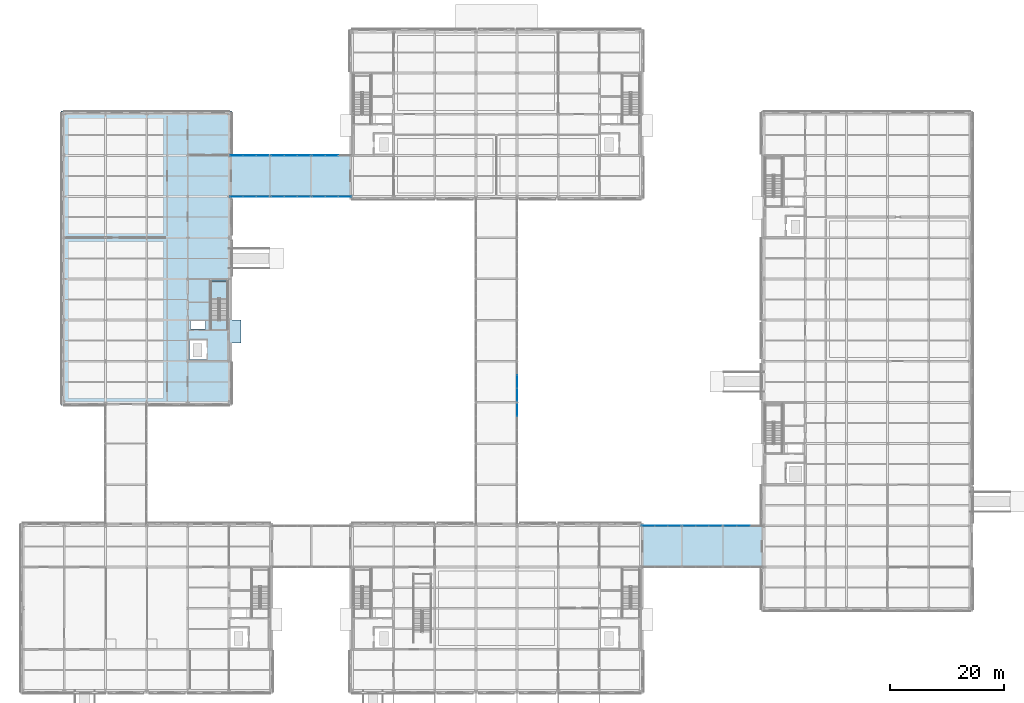
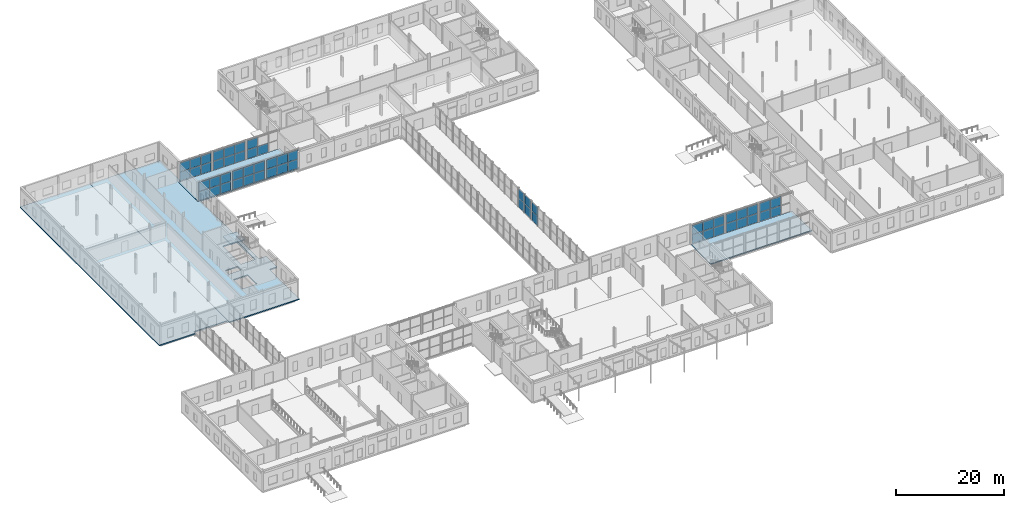
# One storey, part 45 of 92: 55 plates, 5 slabs, 12 elements without a shape of their own.
"""IFC4 building model written with IfcOpenShell, lengths in metres."""

from ifc_helpers import new_model, si_unit, direction, frame, origin, origin_2d, place, context, subcontext, project, spatial, polyline, rectangle, outline, extrude, material, layer, layer_set, type_object, element, aggregate, save


model = new_model("IFC4")

# Units and contexts
model_context = context("Model", 3, precision=1e-05, world=origin(), true_north=direction((0.0, 1.0)))
body_context = subcontext(model_context, "Body", "Model", "MODEL_VIEW")
ifc_project = project(units=[si_unit("LENGTHUNIT", "METRE"), si_unit("AREAUNIT", "SQUARE_METRE"), si_unit("VOLUMEUNIT", "CUBIC_METRE"), si_unit("PLANEANGLEUNIT", "RADIAN"), si_unit("MASSUNIT", "GRAM", prefix="KILO")], contexts=[model_context])

# Site, building, storey
site_placement = place(None, origin())
site = spatial("IfcSite", under=ifc_project, at=site_placement, CompositionType="ELEMENT")
building_placement = place(site_placement, origin())
building = spatial("IfcBuilding", under=site, at=building_placement, Name="Zlatovets Crest Museum", CompositionType="ELEMENT")
storey_placement = place(building_placement, origin())
storey = spatial("IfcBuildingStorey", under=building, at=storey_placement, Name="L00", CompositionType="ELEMENT", Elevation=0.0)

# Curtain wall, plates
ifc_material_1 = material(Name="Bronze-anodised aluminium and low-E triple glass", Category="aluminium")
curtain_wall_type_1 = type_object("IfcCurtainWallType", Name="CW_CW-BR3-L00-S69", PredefinedType="NOTDEFINED", material=ifc_material_1)
curtain_wall_1_placement = place(storey_placement, origin())
curtain_wall_1 = element("IfcCurtainWall", 1, at=curtain_wall_1_placement, inside=storey, type_object=curtain_wall_type_1, Name="Northwest Crest Glazed Link Bridge L00 Glazed Bridge Curtain Wall", PredefinedType="NOTDEFINED")
ifc_material_2 = material(Name="Solar-control low-E laminated triple glass", Category="glass")
ifc_layer_1 = layer(ifc_material_2, 0.030029296875)
ifc_layer_set_1 = layer_set([ifc_layer_1], Name="Solar-control low-E laminated triple glass")
plate_type_1 = type_object("IfcPlateType", Name="CWPanel_CW-BR3-L00-S69", PredefinedType="CURTAIN_PANEL", material=ifc_layer_set_1)
plate_1_placement = place(storey_placement, frame((37.31494140625, 86.39990234375, 0.06005859375), z_axis=(0.0, 0.0, 1.0), x_axis=(1.0, 0.0, 0.0)))
plate_1 = element("IfcPlate", 2, at=plate_1_placement, type_object=plate_type_1, Name="CW-BR3-L00-S69 panel 1.1", PredefinedType="CURTAIN_PANEL", context=body_context, shape_type="SweptSolid", body=[
    extrude(rectangle(XDim=2.2099609375, YDim=0.030029296875, at=origin_2d()), origin(), (0.0, 0.0, 1.0), 2.050048828125),
])
plate_2_placement = place(storey_placement, frame((37.31494140625, 86.39990234375, 2.169921875), z_axis=(0.0, 0.0, 1.0), x_axis=(1.0, 0.0, 0.0)))
plate_2 = element("IfcPlate", 3, at=plate_2_placement, type_object=plate_type_1, Name="CW-BR3-L00-S69 panel 1.2", PredefinedType="CURTAIN_PANEL", context=body_context, shape_type="SweptSolid", body=[
    extrude(rectangle(XDim=2.2099609375, YDim=0.030029296875, at=origin_2d()), origin(), (0.0, 0.0, 1.0), 2.050048828125),
])
plate_3_placement = place(storey_placement, frame((39.60009765625, 86.39990234375, 0.06005859375), z_axis=(0.0, 0.0, 1.0), x_axis=(1.0, 0.0, 0.0)))
plate_3 = element("IfcPlate", 4, at=plate_3_placement, type_object=plate_type_1, Name="CW-BR3-L00-S69 panel 2.1", PredefinedType="CURTAIN_PANEL", context=body_context, shape_type="SweptSolid", body=[
    extrude(rectangle(XDim=2.239990234375, YDim=0.030029296875, at=origin_2d()), origin(), (0.0, 0.0, 1.0), 2.050048828125),
])
plate_4_placement = place(storey_placement, frame((39.60009765625, 86.39990234375, 2.169921875), z_axis=(0.0, 0.0, 1.0), x_axis=(1.0, 0.0, 0.0)))
plate_4 = element("IfcPlate", 5, at=plate_4_placement, type_object=plate_type_1, Name="CW-BR3-L00-S69 panel 2.2", PredefinedType="CURTAIN_PANEL", context=body_context, shape_type="SweptSolid", body=[
    extrude(rectangle(XDim=2.239990234375, YDim=0.030029296875, at=origin_2d()), origin(), (0.0, 0.0, 1.0), 2.050048828125),
])
plate_5_placement = place(storey_placement, frame((41.885009765625, 86.39990234375, 0.06005859375), z_axis=(0.0, 0.0, 1.0), x_axis=(1.0, 0.0, 0.0)))
plate_5 = element("IfcPlate", 6, at=plate_5_placement, type_object=plate_type_1, Name="CW-BR3-L00-S69 panel 3.1", PredefinedType="CURTAIN_PANEL", context=body_context, shape_type="SweptSolid", body=[
    extrude(rectangle(XDim=2.2099609375, YDim=0.030029296875, at=origin_2d()), origin(), (0.0, 0.0, 1.0), 2.050048828125),
])
plate_6_placement = place(storey_placement, frame((41.885009765625, 86.39990234375, 2.169921875), z_axis=(0.0, 0.0, 1.0), x_axis=(1.0, 0.0, 0.0)))
plate_6 = element("IfcPlate", 7, at=plate_6_placement, type_object=plate_type_1, Name="CW-BR3-L00-S69 panel 3.2", PredefinedType="CURTAIN_PANEL", context=body_context, shape_type="SweptSolid", body=[
    extrude(rectangle(XDim=2.2099609375, YDim=0.030029296875, at=origin_2d()), origin(), (0.0, 0.0, 1.0), 2.050048828125),
])
aggregate(curtain_wall_1, [plate_1, plate_2, plate_3, plate_4, plate_5, plate_6])

curtain_wall_2_placement = place(storey_placement, origin())
curtain_wall_2 = element("IfcCurtainWall", 8, at=curtain_wall_2_placement, inside=storey, type_object=curtain_wall_type_1, Name="Northwest Crest Glazed Link Bridge L00 Glazed Bridge Curtain Wall", PredefinedType="NOTDEFINED")
plate_7_placement = place(storey_placement, frame((44.514892578125, 86.39990234375, 0.06005859375), z_axis=(0.0, 0.0, 1.0), x_axis=(1.0, 0.0, 0.0)))
plate_7 = element("IfcPlate", 9, at=plate_7_placement, type_object=plate_type_1, Name="CW-BR3-L00-S69 panel 1.1", PredefinedType="CURTAIN_PANEL", context=body_context, shape_type="SweptSolid", body=[
    extrude(rectangle(XDim=2.2099609375, YDim=0.030029296875, at=origin_2d()), origin(), (0.0, 0.0, 1.0), 2.050048828125),
])
plate_8_placement = place(storey_placement, frame((44.514892578125, 86.39990234375, 2.169921875), z_axis=(0.0, 0.0, 1.0), x_axis=(1.0, 0.0, 0.0)))
plate_8 = element("IfcPlate", 10, at=plate_8_placement, type_object=plate_type_1, Name="CW-BR3-L00-S69 panel 1.2", PredefinedType="CURTAIN_PANEL", context=body_context, shape_type="SweptSolid", body=[
    extrude(rectangle(XDim=2.2099609375, YDim=0.030029296875, at=origin_2d()), origin(), (0.0, 0.0, 1.0), 2.050048828125),
])
plate_9_placement = place(storey_placement, frame((46.800048828125, 86.39990234375, 0.06005859375), z_axis=(0.0, 0.0, 1.0), x_axis=(1.0, 0.0, 0.0)))
plate_9 = element("IfcPlate", 11, at=plate_9_placement, type_object=plate_type_1, Name="CW-BR3-L00-S69 panel 2.1", PredefinedType="CURTAIN_PANEL", context=body_context, shape_type="SweptSolid", body=[
    extrude(rectangle(XDim=2.239990234375, YDim=0.030029296875, at=origin_2d()), origin(), (0.0, 0.0, 1.0), 2.050048828125),
])
plate_10_placement = place(storey_placement, frame((46.800048828125, 86.39990234375, 2.169921875), z_axis=(0.0, 0.0, 1.0), x_axis=(1.0, 0.0, 0.0)))
plate_10 = element("IfcPlate", 12, at=plate_10_placement, type_object=plate_type_1, Name="CW-BR3-L00-S69 panel 2.2", PredefinedType="CURTAIN_PANEL", context=body_context, shape_type="SweptSolid", body=[
    extrude(rectangle(XDim=2.239990234375, YDim=0.030029296875, at=origin_2d()), origin(), (0.0, 0.0, 1.0), 2.050048828125),
])
plate_11_placement = place(storey_placement, frame((49.0849609375, 86.39990234375, 0.06005859375), z_axis=(0.0, 0.0, 1.0), x_axis=(1.0, 0.0, 0.0)))
plate_11 = element("IfcPlate", 13, at=plate_11_placement, type_object=plate_type_1, Name="CW-BR3-L00-S69 panel 3.1", PredefinedType="CURTAIN_PANEL", context=body_context, shape_type="SweptSolid", body=[
    extrude(rectangle(XDim=2.2099609375, YDim=0.030029296875, at=origin_2d()), origin(), (0.0, 0.0, 1.0), 2.050048828125),
])
plate_12_placement = place(storey_placement, frame((49.0849609375, 86.39990234375, 2.169921875), z_axis=(0.0, 0.0, 1.0), x_axis=(1.0, 0.0, 0.0)))
plate_12 = element("IfcPlate", 14, at=plate_12_placement, type_object=plate_type_1, Name="CW-BR3-L00-S69 panel 3.2", PredefinedType="CURTAIN_PANEL", context=body_context, shape_type="SweptSolid", body=[
    extrude(rectangle(XDim=2.2099609375, YDim=0.030029296875, at=origin_2d()), origin(), (0.0, 0.0, 1.0), 2.050048828125),
])
aggregate(curtain_wall_2, [plate_7, plate_8, plate_9, plate_10, plate_11, plate_12])

curtain_wall_3_placement = place(storey_placement, origin())
curtain_wall_3 = element("IfcCurtainWall", 15, at=curtain_wall_3_placement, inside=storey, type_object=curtain_wall_type_1, Name="Northwest Crest Glazed Link Bridge L00 Glazed Bridge Curtain Wall", PredefinedType="NOTDEFINED")
plate_13_placement = place(storey_placement, frame((51.715087890625, 86.39990234375, 0.06005859375), z_axis=(0.0, 0.0, 1.0), x_axis=(1.0, 0.0, 0.0)))
plate_13 = element("IfcPlate", 16, at=plate_13_placement, type_object=plate_type_1, Name="CW-BR3-L00-S69 panel 1.1", PredefinedType="CURTAIN_PANEL", context=body_context, shape_type="SweptSolid", body=[
    extrude(rectangle(XDim=2.2099609375, YDim=0.030029296875, at=origin_2d()), origin(), (0.0, 0.0, 1.0), 2.050048828125),
])
plate_14_placement = place(storey_placement, frame((51.715087890625, 86.39990234375, 2.169921875), z_axis=(0.0, 0.0, 1.0), x_axis=(1.0, 0.0, 0.0)))
plate_14 = element("IfcPlate", 17, at=plate_14_placement, type_object=plate_type_1, Name="CW-BR3-L00-S69 panel 1.2", PredefinedType="CURTAIN_PANEL", context=body_context, shape_type="SweptSolid", body=[
    extrude(rectangle(XDim=2.2099609375, YDim=0.030029296875, at=origin_2d()), origin(), (0.0, 0.0, 1.0), 2.050048828125),
])
plate_15_placement = place(storey_placement, frame((54.0, 86.39990234375, 0.06005859375), z_axis=(0.0, 0.0, 1.0), x_axis=(1.0, 0.0, 0.0)))
plate_15 = element("IfcPlate", 18, at=plate_15_placement, type_object=plate_type_1, Name="CW-BR3-L00-S69 panel 2.1", PredefinedType="CURTAIN_PANEL", context=body_context, shape_type="SweptSolid", body=[
    extrude(rectangle(XDim=2.239990234375, YDim=0.030029296875, at=origin_2d()), origin(), (0.0, 0.0, 1.0), 2.050048828125),
])
plate_16_placement = place(storey_placement, frame((54.0, 86.39990234375, 2.169921875), z_axis=(0.0, 0.0, 1.0), x_axis=(1.0, 0.0, 0.0)))
plate_16 = element("IfcPlate", 19, at=plate_16_placement, type_object=plate_type_1, Name="CW-BR3-L00-S69 panel 2.2", PredefinedType="CURTAIN_PANEL", context=body_context, shape_type="SweptSolid", body=[
    extrude(rectangle(XDim=2.239990234375, YDim=0.030029296875, at=origin_2d()), origin(), (0.0, 0.0, 1.0), 2.050048828125),
])
plate_17_placement = place(storey_placement, frame((56.284912109375, 86.39990234375, 0.06005859375), z_axis=(0.0, 0.0, 1.0), x_axis=(1.0, 0.0, 0.0)))
plate_17 = element("IfcPlate", 20, at=plate_17_placement, type_object=plate_type_1, Name="CW-BR3-L00-S69 panel 3.1", PredefinedType="CURTAIN_PANEL", context=body_context, shape_type="SweptSolid", body=[
    extrude(rectangle(XDim=2.2099609375, YDim=0.030029296875, at=origin_2d()), origin(), (0.0, 0.0, 1.0), 2.050048828125),
])
plate_18_placement = place(storey_placement, frame((56.284912109375, 86.39990234375, 2.169921875), z_axis=(0.0, 0.0, 1.0), x_axis=(1.0, 0.0, 0.0)))
plate_18 = element("IfcPlate", 21, at=plate_18_placement, type_object=plate_type_1, Name="CW-BR3-L00-S69 panel 3.2", PredefinedType="CURTAIN_PANEL", context=body_context, shape_type="SweptSolid", body=[
    extrude(rectangle(XDim=2.2099609375, YDim=0.030029296875, at=origin_2d()), origin(), (0.0, 0.0, 1.0), 2.050048828125),
])
aggregate(curtain_wall_3, [plate_13, plate_14, plate_15, plate_16, plate_17, plate_18])

curtain_wall_4_placement = place(storey_placement, origin())
curtain_wall_4 = element("IfcCurtainWall", 22, at=curtain_wall_4_placement, inside=storey, type_object=curtain_wall_type_1, Name="Northwest Crest Glazed Link Bridge L00 Glazed Bridge Curtain Wall", PredefinedType="NOTDEFINED")
plate_19_placement = place(storey_placement, frame((37.31494140625, 93.60009765625, 0.06005859375), z_axis=(0.0, 0.0, 1.0), x_axis=(1.0, 0.0, 0.0)))
plate_19 = element("IfcPlate", 23, at=plate_19_placement, type_object=plate_type_1, Name="CW-BR3-L00-S69 panel 1.1", PredefinedType="CURTAIN_PANEL", context=body_context, shape_type="SweptSolid", body=[
    extrude(rectangle(XDim=2.2099609375, YDim=0.030029296875, at=origin_2d()), origin(), (0.0, 0.0, 1.0), 2.050048828125),
])
plate_20_placement = place(storey_placement, frame((37.31494140625, 93.60009765625, 2.169921875), z_axis=(0.0, 0.0, 1.0), x_axis=(1.0, 0.0, 0.0)))
plate_20 = element("IfcPlate", 24, at=plate_20_placement, type_object=plate_type_1, Name="CW-BR3-L00-S69 panel 1.2", PredefinedType="CURTAIN_PANEL", context=body_context, shape_type="SweptSolid", body=[
    extrude(rectangle(XDim=2.2099609375, YDim=0.030029296875, at=origin_2d()), origin(), (0.0, 0.0, 1.0), 2.050048828125),
])
plate_21_placement = place(storey_placement, frame((39.60009765625, 93.60009765625, 0.06005859375), z_axis=(0.0, 0.0, 1.0), x_axis=(1.0, 0.0, 0.0)))
plate_21 = element("IfcPlate", 25, at=plate_21_placement, type_object=plate_type_1, Name="CW-BR3-L00-S69 panel 2.1", PredefinedType="CURTAIN_PANEL", context=body_context, shape_type="SweptSolid", body=[
    extrude(rectangle(XDim=2.239990234375, YDim=0.030029296875, at=origin_2d()), origin(), (0.0, 0.0, 1.0), 2.050048828125),
])
plate_22_placement = place(storey_placement, frame((39.60009765625, 93.60009765625, 2.169921875), z_axis=(0.0, 0.0, 1.0), x_axis=(1.0, 0.0, 0.0)))
plate_22 = element("IfcPlate", 26, at=plate_22_placement, type_object=plate_type_1, Name="CW-BR3-L00-S69 panel 2.2", PredefinedType="CURTAIN_PANEL", context=body_context, shape_type="SweptSolid", body=[
    extrude(rectangle(XDim=2.239990234375, YDim=0.030029296875, at=origin_2d()), origin(), (0.0, 0.0, 1.0), 2.050048828125),
])
plate_23_placement = place(storey_placement, frame((41.885009765625, 93.60009765625, 0.06005859375), z_axis=(0.0, 0.0, 1.0), x_axis=(1.0, 0.0, 0.0)))
plate_23 = element("IfcPlate", 27, at=plate_23_placement, type_object=plate_type_1, Name="CW-BR3-L00-S69 panel 3.1", PredefinedType="CURTAIN_PANEL", context=body_context, shape_type="SweptSolid", body=[
    extrude(rectangle(XDim=2.2099609375, YDim=0.030029296875, at=origin_2d()), origin(), (0.0, 0.0, 1.0), 2.050048828125),
])
plate_24_placement = place(storey_placement, frame((41.885009765625, 93.60009765625, 2.169921875), z_axis=(0.0, 0.0, 1.0), x_axis=(1.0, 0.0, 0.0)))
plate_24 = element("IfcPlate", 28, at=plate_24_placement, type_object=plate_type_1, Name="CW-BR3-L00-S69 panel 3.2", PredefinedType="CURTAIN_PANEL", context=body_context, shape_type="SweptSolid", body=[
    extrude(rectangle(XDim=2.2099609375, YDim=0.030029296875, at=origin_2d()), origin(), (0.0, 0.0, 1.0), 2.050048828125),
])
aggregate(curtain_wall_4, [plate_19, plate_20, plate_21, plate_22, plate_23, plate_24])

curtain_wall_5_placement = place(storey_placement, origin())
curtain_wall_5 = element("IfcCurtainWall", 29, at=curtain_wall_5_placement, inside=storey, type_object=curtain_wall_type_1, Name="Northwest Crest Glazed Link Bridge L00 Glazed Bridge Curtain Wall", PredefinedType="NOTDEFINED")
plate_25_placement = place(storey_placement, frame((44.514892578125, 93.60009765625, 0.06005859375), z_axis=(0.0, 0.0, 1.0), x_axis=(1.0, 0.0, 0.0)))
plate_25 = element("IfcPlate", 30, at=plate_25_placement, type_object=plate_type_1, Name="CW-BR3-L00-S69 panel 1.1", PredefinedType="CURTAIN_PANEL", context=body_context, shape_type="SweptSolid", body=[
    extrude(rectangle(XDim=2.2099609375, YDim=0.030029296875, at=origin_2d()), origin(), (0.0, 0.0, 1.0), 2.050048828125),
])
plate_26_placement = place(storey_placement, frame((44.514892578125, 93.60009765625, 2.169921875), z_axis=(0.0, 0.0, 1.0), x_axis=(1.0, 0.0, 0.0)))
plate_26 = element("IfcPlate", 31, at=plate_26_placement, type_object=plate_type_1, Name="CW-BR3-L00-S69 panel 1.2", PredefinedType="CURTAIN_PANEL", context=body_context, shape_type="SweptSolid", body=[
    extrude(rectangle(XDim=2.2099609375, YDim=0.030029296875, at=origin_2d()), origin(), (0.0, 0.0, 1.0), 2.050048828125),
])
plate_27_placement = place(storey_placement, frame((46.800048828125, 93.60009765625, 0.06005859375), z_axis=(0.0, 0.0, 1.0), x_axis=(1.0, 0.0, 0.0)))
plate_27 = element("IfcPlate", 32, at=plate_27_placement, type_object=plate_type_1, Name="CW-BR3-L00-S69 panel 2.1", PredefinedType="CURTAIN_PANEL", context=body_context, shape_type="SweptSolid", body=[
    extrude(rectangle(XDim=2.239990234375, YDim=0.030029296875, at=origin_2d()), origin(), (0.0, 0.0, 1.0), 2.050048828125),
])
plate_28_placement = place(storey_placement, frame((46.800048828125, 93.60009765625, 2.169921875), z_axis=(0.0, 0.0, 1.0), x_axis=(1.0, 0.0, 0.0)))
plate_28 = element("IfcPlate", 33, at=plate_28_placement, type_object=plate_type_1, Name="CW-BR3-L00-S69 panel 2.2", PredefinedType="CURTAIN_PANEL", context=body_context, shape_type="SweptSolid", body=[
    extrude(rectangle(XDim=2.239990234375, YDim=0.030029296875, at=origin_2d()), origin(), (0.0, 0.0, 1.0), 2.050048828125),
])
plate_29_placement = place(storey_placement, frame((49.0849609375, 93.60009765625, 0.06005859375), z_axis=(0.0, 0.0, 1.0), x_axis=(1.0, 0.0, 0.0)))
plate_29 = element("IfcPlate", 34, at=plate_29_placement, type_object=plate_type_1, Name="CW-BR3-L00-S69 panel 3.1", PredefinedType="CURTAIN_PANEL", context=body_context, shape_type="SweptSolid", body=[
    extrude(rectangle(XDim=2.2099609375, YDim=0.030029296875, at=origin_2d()), origin(), (0.0, 0.0, 1.0), 2.050048828125),
])
plate_30_placement = place(storey_placement, frame((49.0849609375, 93.60009765625, 2.169921875), z_axis=(0.0, 0.0, 1.0), x_axis=(1.0, 0.0, 0.0)))
plate_30 = element("IfcPlate", 35, at=plate_30_placement, type_object=plate_type_1, Name="CW-BR3-L00-S69 panel 3.2", PredefinedType="CURTAIN_PANEL", context=body_context, shape_type="SweptSolid", body=[
    extrude(rectangle(XDim=2.2099609375, YDim=0.030029296875, at=origin_2d()), origin(), (0.0, 0.0, 1.0), 2.050048828125),
])
aggregate(curtain_wall_5, [plate_25, plate_26, plate_27, plate_28, plate_29, plate_30])

curtain_wall_6_placement = place(storey_placement, origin())
curtain_wall_6 = element("IfcCurtainWall", 36, at=curtain_wall_6_placement, inside=storey, type_object=curtain_wall_type_1, Name="Northwest Crest Glazed Link Bridge L00 Glazed Bridge Curtain Wall", PredefinedType="NOTDEFINED")
plate_31_placement = place(storey_placement, frame((51.715087890625, 93.60009765625, 0.06005859375), z_axis=(0.0, 0.0, 1.0), x_axis=(1.0, 0.0, 0.0)))
plate_31 = element("IfcPlate", 37, at=plate_31_placement, type_object=plate_type_1, Name="CW-BR3-L00-S69 panel 1.1", PredefinedType="CURTAIN_PANEL", context=body_context, shape_type="SweptSolid", body=[
    extrude(rectangle(XDim=2.2099609375, YDim=0.030029296875, at=origin_2d()), origin(), (0.0, 0.0, 1.0), 2.050048828125),
])
plate_32_placement = place(storey_placement, frame((51.715087890625, 93.60009765625, 2.169921875), z_axis=(0.0, 0.0, 1.0), x_axis=(1.0, 0.0, 0.0)))
plate_32 = element("IfcPlate", 38, at=plate_32_placement, type_object=plate_type_1, Name="CW-BR3-L00-S69 panel 1.2", PredefinedType="CURTAIN_PANEL", context=body_context, shape_type="SweptSolid", body=[
    extrude(rectangle(XDim=2.2099609375, YDim=0.030029296875, at=origin_2d()), origin(), (0.0, 0.0, 1.0), 2.050048828125),
])
plate_33_placement = place(storey_placement, frame((54.0, 93.60009765625, 0.06005859375), z_axis=(0.0, 0.0, 1.0), x_axis=(1.0, 0.0, 0.0)))
plate_33 = element("IfcPlate", 39, at=plate_33_placement, type_object=plate_type_1, Name="CW-BR3-L00-S69 panel 2.1", PredefinedType="CURTAIN_PANEL", context=body_context, shape_type="SweptSolid", body=[
    extrude(rectangle(XDim=2.239990234375, YDim=0.030029296875, at=origin_2d()), origin(), (0.0, 0.0, 1.0), 2.050048828125),
])
aggregate(curtain_wall_6, [plate_31, plate_32, plate_33])

curtain_wall_type_2 = type_object("IfcCurtainWallType", Name="CW_CW-BR4-L00-S69", PredefinedType="NOTDEFINED", material=ifc_material_1)
curtain_wall_7_placement = place(storey_placement, origin())
curtain_wall_7 = element("IfcCurtainWall", 40, at=curtain_wall_7_placement, inside=storey, type_object=curtain_wall_type_2, Name="Southeast Archive Glazed Link Bridge L00 Glazed Bridge Curtain Wall", PredefinedType="NOTDEFINED")
ifc_layer_2 = layer(ifc_material_2, 0.030029296875)
ifc_layer_set_2 = layer_set([ifc_layer_2], Name="Solar-control low-E laminated triple glass")
plate_type_2 = type_object("IfcPlateType", Name="CWPanel_CW-BR4-L00-S69", PredefinedType="CURTAIN_PANEL", material=ifc_layer_set_2)
plate_34_placement = place(storey_placement, frame((109.31494140625, 28.800048828125, 0.06005859375), z_axis=(0.0, 0.0, 1.0), x_axis=(1.0, 0.0, 0.0)))
plate_34 = element("IfcPlate", 41, at=plate_34_placement, type_object=plate_type_2, Name="CW-BR4-L00-S69 panel 1.1", PredefinedType="CURTAIN_PANEL", context=body_context, shape_type="SweptSolid", body=[
    extrude(rectangle(XDim=2.2099609375, YDim=0.030029296875, at=origin_2d()), origin(), (0.0, 0.0, 1.0), 2.050048828125),
])
plate_35_placement = place(storey_placement, frame((109.31494140625, 28.800048828125, 2.169921875), z_axis=(0.0, 0.0, 1.0), x_axis=(1.0, 0.0, 0.0)))
plate_35 = element("IfcPlate", 42, at=plate_35_placement, type_object=plate_type_2, Name="CW-BR4-L00-S69 panel 1.2", PredefinedType="CURTAIN_PANEL", context=body_context, shape_type="SweptSolid", body=[
    extrude(rectangle(XDim=2.2099609375, YDim=0.030029296875, at=origin_2d()), origin(), (0.0, 0.0, 1.0), 2.050048828125),
])
plate_36_placement = place(storey_placement, frame((111.60009765625, 28.800048828125, 0.06005859375), z_axis=(0.0, 0.0, 1.0), x_axis=(1.0, 0.0, 0.0)))
plate_36 = element("IfcPlate", 43, at=plate_36_placement, type_object=plate_type_2, Name="CW-BR4-L00-S69 panel 2.1", PredefinedType="CURTAIN_PANEL", context=body_context, shape_type="SweptSolid", body=[
    extrude(rectangle(XDim=2.239990234375, YDim=0.030029296875, at=origin_2d()), origin(), (0.0, 0.0, 1.0), 2.050048828125),
])
plate_37_placement = place(storey_placement, frame((111.60009765625, 28.800048828125, 2.169921875), z_axis=(0.0, 0.0, 1.0), x_axis=(1.0, 0.0, 0.0)))
plate_37 = element("IfcPlate", 44, at=plate_37_placement, type_object=plate_type_2, Name="CW-BR4-L00-S69 panel 2.2", PredefinedType="CURTAIN_PANEL", context=body_context, shape_type="SweptSolid", body=[
    extrude(rectangle(XDim=2.239990234375, YDim=0.030029296875, at=origin_2d()), origin(), (0.0, 0.0, 1.0), 2.050048828125),
])
plate_38_placement = place(storey_placement, frame((113.885009765625, 28.800048828125, 0.06005859375), z_axis=(0.0, 0.0, 1.0), x_axis=(1.0, 0.0, 0.0)))
plate_38 = element("IfcPlate", 45, at=plate_38_placement, type_object=plate_type_2, Name="CW-BR4-L00-S69 panel 3.1", PredefinedType="CURTAIN_PANEL", context=body_context, shape_type="SweptSolid", body=[
    extrude(rectangle(XDim=2.2099609375, YDim=0.030029296875, at=origin_2d()), origin(), (0.0, 0.0, 1.0), 2.050048828125),
])
plate_39_placement = place(storey_placement, frame((113.885009765625, 28.800048828125, 2.169921875), z_axis=(0.0, 0.0, 1.0), x_axis=(1.0, 0.0, 0.0)))
plate_39 = element("IfcPlate", 46, at=plate_39_placement, type_object=plate_type_2, Name="CW-BR4-L00-S69 panel 3.2", PredefinedType="CURTAIN_PANEL", context=body_context, shape_type="SweptSolid", body=[
    extrude(rectangle(XDim=2.2099609375, YDim=0.030029296875, at=origin_2d()), origin(), (0.0, 0.0, 1.0), 2.050048828125),
])
aggregate(curtain_wall_7, [plate_34, plate_35, plate_36, plate_37, plate_38, plate_39])

curtain_wall_8_placement = place(storey_placement, origin())
curtain_wall_8 = element("IfcCurtainWall", 47, at=curtain_wall_8_placement, inside=storey, type_object=curtain_wall_type_2, Name="Southeast Archive Glazed Link Bridge L00 Glazed Bridge Curtain Wall", PredefinedType="NOTDEFINED")
plate_40_placement = place(storey_placement, frame((116.514892578125, 28.800048828125, 0.06005859375), z_axis=(0.0, 0.0, 1.0), x_axis=(1.0, 0.0, 0.0)))
plate_40 = element("IfcPlate", 48, at=plate_40_placement, type_object=plate_type_2, Name="CW-BR4-L00-S69 panel 1.1", PredefinedType="CURTAIN_PANEL", context=body_context, shape_type="SweptSolid", body=[
    extrude(rectangle(XDim=2.2099609375, YDim=0.030029296875, at=origin_2d()), origin(), (0.0, 0.0, 1.0), 2.050048828125),
])
plate_41_placement = place(storey_placement, frame((116.514892578125, 28.800048828125, 2.169921875), z_axis=(0.0, 0.0, 1.0), x_axis=(1.0, 0.0, 0.0)))
plate_41 = element("IfcPlate", 49, at=plate_41_placement, type_object=plate_type_2, Name="CW-BR4-L00-S69 panel 1.2", PredefinedType="CURTAIN_PANEL", context=body_context, shape_type="SweptSolid", body=[
    extrude(rectangle(XDim=2.2099609375, YDim=0.030029296875, at=origin_2d()), origin(), (0.0, 0.0, 1.0), 2.050048828125),
])
plate_42_placement = place(storey_placement, frame((118.800048828125, 28.800048828125, 0.06005859375), z_axis=(0.0, 0.0, 1.0), x_axis=(1.0, 0.0, 0.0)))
plate_42 = element("IfcPlate", 50, at=plate_42_placement, type_object=plate_type_2, Name="CW-BR4-L00-S69 panel 2.1", PredefinedType="CURTAIN_PANEL", context=body_context, shape_type="SweptSolid", body=[
    extrude(rectangle(XDim=2.239990234375, YDim=0.030029296875, at=origin_2d()), origin(), (0.0, 0.0, 1.0), 2.050048828125),
])
plate_43_placement = place(storey_placement, frame((118.800048828125, 28.800048828125, 2.169921875), z_axis=(0.0, 0.0, 1.0), x_axis=(1.0, 0.0, 0.0)))
plate_43 = element("IfcPlate", 51, at=plate_43_placement, type_object=plate_type_2, Name="CW-BR4-L00-S69 panel 2.2", PredefinedType="CURTAIN_PANEL", context=body_context, shape_type="SweptSolid", body=[
    extrude(rectangle(XDim=2.239990234375, YDim=0.030029296875, at=origin_2d()), origin(), (0.0, 0.0, 1.0), 2.050048828125),
])
plate_44_placement = place(storey_placement, frame((121.0849609375, 28.800048828125, 0.06005859375), z_axis=(0.0, 0.0, 1.0), x_axis=(1.0, 0.0, 0.0)))
plate_44 = element("IfcPlate", 52, at=plate_44_placement, type_object=plate_type_2, Name="CW-BR4-L00-S69 panel 3.1", PredefinedType="CURTAIN_PANEL", context=body_context, shape_type="SweptSolid", body=[
    extrude(rectangle(XDim=2.2099609375, YDim=0.030029296875, at=origin_2d()), origin(), (0.0, 0.0, 1.0), 2.050048828125),
])
plate_45_placement = place(storey_placement, frame((121.0849609375, 28.800048828125, 2.169921875), z_axis=(0.0, 0.0, 1.0), x_axis=(1.0, 0.0, 0.0)))
plate_45 = element("IfcPlate", 53, at=plate_45_placement, type_object=plate_type_2, Name="CW-BR4-L00-S69 panel 3.2", PredefinedType="CURTAIN_PANEL", context=body_context, shape_type="SweptSolid", body=[
    extrude(rectangle(XDim=2.2099609375, YDim=0.030029296875, at=origin_2d()), origin(), (0.0, 0.0, 1.0), 2.050048828125),
])
aggregate(curtain_wall_8, [plate_40, plate_41, plate_42, plate_43, plate_44, plate_45])

curtain_wall_9_placement = place(storey_placement, origin())
curtain_wall_9 = element("IfcCurtainWall", 54, at=curtain_wall_9_placement, inside=storey, type_object=curtain_wall_type_2, Name="Southeast Archive Glazed Link Bridge L00 Glazed Bridge Curtain Wall", PredefinedType="NOTDEFINED")
plate_46_placement = place(storey_placement, frame((123.715087890625, 28.800048828125, 0.06005859375), z_axis=(0.0, 0.0, 1.0), x_axis=(1.0, 0.0, 0.0)))
plate_46 = element("IfcPlate", 55, at=plate_46_placement, type_object=plate_type_2, Name="CW-BR4-L00-S69 panel 1.1", PredefinedType="CURTAIN_PANEL", context=body_context, shape_type="SweptSolid", body=[
    extrude(rectangle(XDim=2.2099609375, YDim=0.030029296875, at=origin_2d()), origin(), (0.0, 0.0, 1.0), 2.050048828125),
])
plate_47_placement = place(storey_placement, frame((123.715087890625, 28.800048828125, 2.169921875), z_axis=(0.0, 0.0, 1.0), x_axis=(1.0, 0.0, 0.0)))
plate_47 = element("IfcPlate", 56, at=plate_47_placement, type_object=plate_type_2, Name="CW-BR4-L00-S69 panel 1.2", PredefinedType="CURTAIN_PANEL", context=body_context, shape_type="SweptSolid", body=[
    extrude(rectangle(XDim=2.2099609375, YDim=0.030029296875, at=origin_2d()), origin(), (0.0, 0.0, 1.0), 2.050048828125),
])
plate_48_placement = place(storey_placement, frame((126.0, 28.800048828125, 0.06005859375), z_axis=(0.0, 0.0, 1.0), x_axis=(1.0, 0.0, 0.0)))
plate_48 = element("IfcPlate", 57, at=plate_48_placement, type_object=plate_type_2, Name="CW-BR4-L00-S69 panel 2.1", PredefinedType="CURTAIN_PANEL", context=body_context, shape_type="SweptSolid", body=[
    extrude(rectangle(XDim=2.239990234375, YDim=0.030029296875, at=origin_2d()), origin(), (0.0, 0.0, 1.0), 2.050048828125),
])
plate_49_placement = place(storey_placement, frame((126.0, 28.800048828125, 2.169921875), z_axis=(0.0, 0.0, 1.0), x_axis=(1.0, 0.0, 0.0)))
plate_49 = element("IfcPlate", 58, at=plate_49_placement, type_object=plate_type_2, Name="CW-BR4-L00-S69 panel 2.2", PredefinedType="CURTAIN_PANEL", context=body_context, shape_type="SweptSolid", body=[
    extrude(rectangle(XDim=2.239990234375, YDim=0.030029296875, at=origin_2d()), origin(), (0.0, 0.0, 1.0), 2.050048828125),
])
aggregate(curtain_wall_9, [plate_46, plate_47, plate_48, plate_49])

curtain_wall_type_3 = type_object("IfcCurtainWallType", Name="CW_CW-BR5-L00-S69", PredefinedType="NOTDEFINED", material=ifc_material_1)
curtain_wall_10_placement = place(storey_placement, origin())
curtain_wall_10 = element("IfcCurtainWall", 59, at=curtain_wall_10_placement, inside=storey, type_object=curtain_wall_type_3, Name="Central Sculpture Court Cloister and Skywalk L00 Glazed Bridge Curtain Wall", PredefinedType="NOTDEFINED")
ifc_layer_3 = layer(ifc_material_2, 0.030029296875)
ifc_layer_set_3 = layer_set([ifc_layer_3], Name="Solar-control low-E laminated triple glass")
plate_type_3 = type_object("IfcPlateType", Name="CWPanel_CW-BR5-L00-S69", PredefinedType="CURTAIN_PANEL", material=ifc_layer_set_3)
plate_50_placement = place(storey_placement, frame((86.39990234375, 49.0849609375, 0.06005859375), z_axis=(0.0, 0.0, 1.0), x_axis=(0.0, 1.0, 0.0)))
plate_50 = element("IfcPlate", 60, at=plate_50_placement, type_object=plate_type_3, Name="CW-BR5-L00-S69 panel 3.1", PredefinedType="CURTAIN_PANEL", context=body_context, shape_type="SweptSolid", body=[
    extrude(rectangle(XDim=2.2099609375, YDim=0.030029296875, at=origin_2d()), origin(), (0.0, 0.0, 1.0), 2.050048828125),
])
plate_51_placement = place(storey_placement, frame((86.39990234375, 49.0849609375, 2.169921875), z_axis=(0.0, 0.0, 1.0), x_axis=(0.0, 1.0, 0.0)))
plate_51 = element("IfcPlate", 61, at=plate_51_placement, type_object=plate_type_3, Name="CW-BR5-L00-S69 panel 3.2", PredefinedType="CURTAIN_PANEL", context=body_context, shape_type="SweptSolid", body=[
    extrude(rectangle(XDim=2.2099609375, YDim=0.030029296875, at=origin_2d()), origin(), (0.0, 0.0, 1.0), 2.050048828125),
])
aggregate(curtain_wall_10, [plate_50, plate_51])

curtain_wall_11_placement = place(storey_placement, origin())
curtain_wall_11 = element("IfcCurtainWall", 62, at=curtain_wall_11_placement, inside=storey, type_object=curtain_wall_type_3, Name="Central Sculpture Court Cloister and Skywalk L00 Glazed Bridge Curtain Wall", PredefinedType="NOTDEFINED")
plate_52_placement = place(storey_placement, frame((86.39990234375, 51.715087890625, 0.06005859375), z_axis=(0.0, 0.0, 1.0), x_axis=(0.0, 1.0, 0.0)))
plate_52 = element("IfcPlate", 63, at=plate_52_placement, type_object=plate_type_3, Name="CW-BR5-L00-S69 panel 1.1", PredefinedType="CURTAIN_PANEL", context=body_context, shape_type="SweptSolid", body=[
    extrude(rectangle(XDim=2.2099609375, YDim=0.030029296875, at=origin_2d()), origin(), (0.0, 0.0, 1.0), 2.050048828125),
])
plate_53_placement = place(storey_placement, frame((86.39990234375, 51.715087890625, 2.169921875), z_axis=(0.0, 0.0, 1.0), x_axis=(0.0, 1.0, 0.0)))
plate_53 = element("IfcPlate", 64, at=plate_53_placement, type_object=plate_type_3, Name="CW-BR5-L00-S69 panel 1.2", PredefinedType="CURTAIN_PANEL", context=body_context, shape_type="SweptSolid", body=[
    extrude(rectangle(XDim=2.2099609375, YDim=0.030029296875, at=origin_2d()), origin(), (0.0, 0.0, 1.0), 2.050048828125),
])
plate_54_placement = place(storey_placement, frame((86.39990234375, 54.0, 0.06005859375), z_axis=(0.0, 0.0, 1.0), x_axis=(0.0, 1.0, 0.0)))
plate_54 = element("IfcPlate", 65, at=plate_54_placement, type_object=plate_type_3, Name="CW-BR5-L00-S69 panel 2.1", PredefinedType="CURTAIN_PANEL", context=body_context, shape_type="SweptSolid", body=[
    extrude(rectangle(XDim=2.239990234375, YDim=0.030029296875, at=origin_2d()), origin(), (0.0, 0.0, 1.0), 2.050048828125),
])
plate_55_placement = place(storey_placement, frame((86.39990234375, 54.0, 2.169921875), z_axis=(0.0, 0.0, 1.0), x_axis=(0.0, 1.0, 0.0)))
plate_55 = element("IfcPlate", 66, at=plate_55_placement, type_object=plate_type_3, Name="CW-BR5-L00-S69 panel 2.2", PredefinedType="CURTAIN_PANEL", context=body_context, shape_type="SweptSolid", body=[
    extrude(rectangle(XDim=2.239990234375, YDim=0.030029296875, at=origin_2d()), origin(), (0.0, 0.0, 1.0), 2.050048828125),
])
aggregate(curtain_wall_11, [plate_52, plate_53, plate_54, plate_55])

# Slabs
ifc_material_3 = material(Name="Concrete C30/37", Category="concrete")
ifc_layer_4 = layer(ifc_material_3, 0.25)
ifc_layer_set_4 = layer_set([ifc_layer_4], Name="Concrete C30/37")
slab_type_1 = type_object("IfcSlabType", Name="Slab_FS-01", PredefinedType="FLOOR", material=ifc_layer_set_4)
slab_1_placement = place(storey_placement, frame((0.0, 0.0, -0.25)))
element("IfcSlab", 67, at=slab_1_placement, inside=storey, type_object=slab_type_1, Name="V4 L00 Structural Slab Panel 1", PredefinedType="FLOOR", context=body_context, shape_type="SweptSolid", body=[
    extrude(outline(polyline([(6.659912109375, 101.340087890625), (21.60009765625, 101.340087890625), (21.60009765625, 50.419921875), (14.3798828125, 50.419921875), (14.3798828125, 49.860107421875), (6.659912109375, 49.860107421875), (6.659912109375, 101.340087890625)])), origin(), (0.0, 0.0, 1.0), 0.25),
])
slab_2_placement = place(storey_placement, frame((0.0, 0.0, -0.25)))
element("IfcSlab", 68, at=slab_2_placement, inside=storey, type_object=slab_type_1, Name="V4 L00 Structural Slab Panel 2", PredefinedType="FLOOR", context=body_context, shape_type="SweptSolid", body=[
    extrude(outline(polyline([(36.5400390625, 93.6201171875), (35.97998046875, 93.6201171875), (35.97998046875, 86.3798828125), (36.5400390625, 86.3798828125), (36.5400390625, 64.800048828125), (38.10009765625, 64.800048828125), (38.10009765625, 60.800048828125), (36.5400390625, 60.800048828125), (36.5400390625, 49.860107421875), (21.6201171875, 49.860107421875), (21.6201171875, 50.419921875), (21.60009765625, 50.419921875), (21.60009765625, 101.340087890625), (36.5400390625, 101.340087890625), (36.5400390625, 93.6201171875)]), holes=[polyline([(32.800048828125, 64.93994140625), (35.800048828125, 64.93994140625), (35.800048828125, 71.60009765625), (32.800048828125, 71.60009765625), (32.800048828125, 64.93994140625)]), polyline([(29.10009765625, 61.300048828125), (29.10009765625, 57.89990234375), (32.14990234375, 57.89990234375), (32.14990234375, 61.300048828125), (29.10009765625, 61.300048828125)]), polyline([(31.89990234375, 64.60009765625), (29.25, 64.60009765625), (29.25, 63.25), (31.89990234375, 63.25), (31.89990234375, 64.60009765625)])]), origin(), (0.0, 0.0, 1.0), 0.25),
])
slab_3_placement = place(storey_placement, frame((0.0, 0.0, -0.25)))
element("IfcSlab", 69, at=slab_3_placement, inside=storey, type_object=slab_type_1, Name="Northwest Crest Glazed Link Bridge L00 Deck Slab", PredefinedType="FLOOR", context=body_context, shape_type="SweptSolid", body=[
    extrude(outline(polyline([(57.60009765625, 86.39990234375), (57.60009765625, 93.60009765625), (36.0, 93.60009765625), (36.0, 86.39990234375), (57.60009765625, 86.39990234375)])), origin(), (0.0, 0.0, 1.0), 0.25),
])
slab_4_placement = place(storey_placement, frame((0.0, 0.0, -0.25)))
element("IfcSlab", 70, at=slab_4_placement, inside=storey, type_object=slab_type_1, Name="Southeast Archive Glazed Link Bridge L00 Deck Slab", PredefinedType="FLOOR", context=body_context, shape_type="SweptSolid", body=[
    extrude(outline(polyline([(129.60009765625, 21.60009765625), (129.60009765625, 28.800048828125), (108.0, 28.800048828125), (108.0, 21.60009765625), (129.60009765625, 21.60009765625)])), origin(), (0.0, 0.0, 1.0), 0.25),
])

# Stair, slab
ifc_material_4 = material(Name="Concrete C35/45", Category="concrete")
stair_type = type_object("IfcStairType", Name="Stair_ST4-28R", PredefinedType="HALF_TURN_STAIR", material=ifc_material_4)
stair_placement = place(storey_placement, origin())
stair = element("IfcStair", 71, at=stair_placement, inside=storey, type_object=stair_type, Name="L00 Core C4 Escape Stair ST4", PredefinedType="HALF_TURN_STAIR")
ifc_layer_5 = layer(ifc_material_4, 0.199951171875)
ifc_layer_set_5 = layer_set([ifc_layer_5], Name="Concrete C35/45")
slab_type_2 = type_object("IfcSlabType", Name="StairLanding_SLD1", PredefinedType="LANDING", material=ifc_layer_set_5)
slab_5_placement = place(storey_placement, frame((0.0, 0.0, 2.050048828125)))
slab_5 = element("IfcSlab", 72, at=slab_5_placement, type_object=slab_type_2, Name="ST4 landing 1", PredefinedType="LANDING", context=body_context, shape_type="SweptSolid", body=[
    extrude(outline(polyline([(35.800048828125, 68.60009765625), (35.800048828125, 71.60009765625), (32.800048828125, 71.60009765625), (32.800048828125, 68.60009765625), (35.800048828125, 68.60009765625)])), origin(), (0.0, 0.0, 1.0), 0.199951171875),
])
aggregate(stair, [slab_5])

save(model, "model.ifc")
